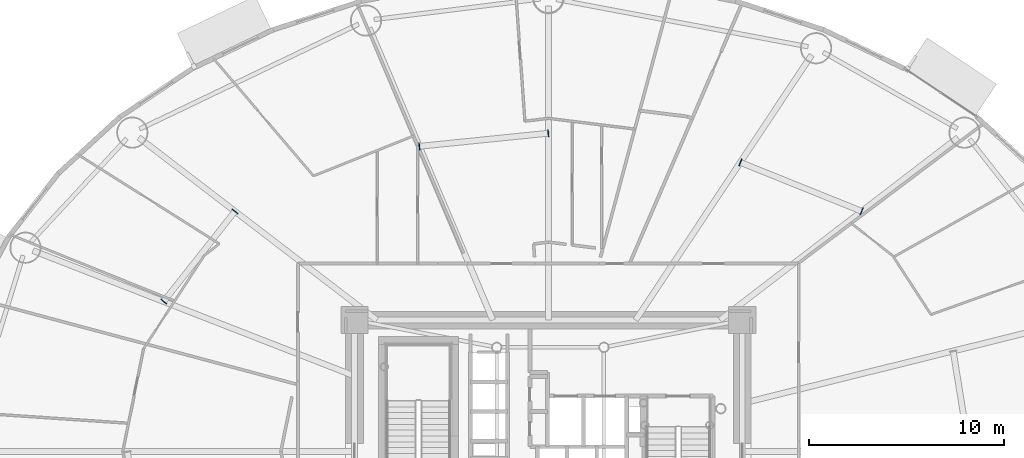
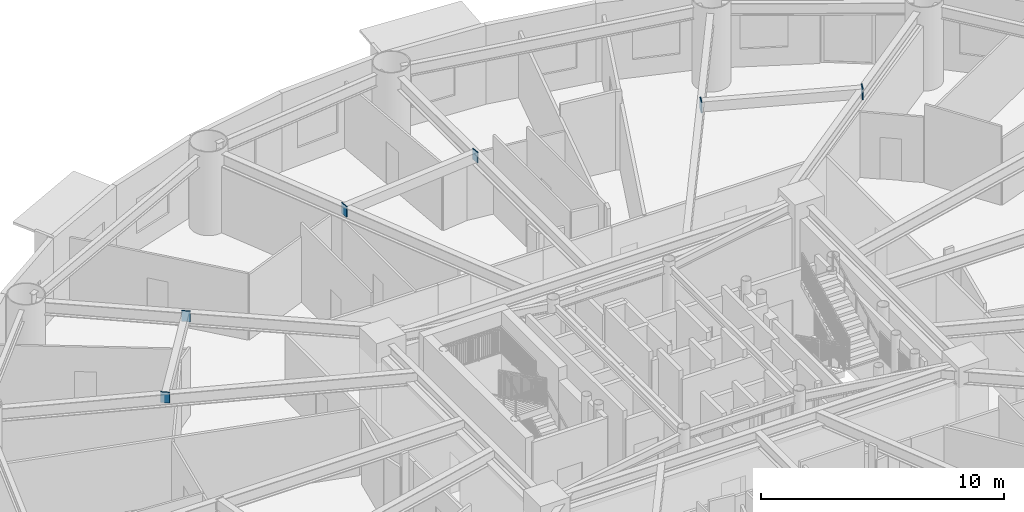
# One storey, part 9 of 24: 6 plates.
"""IFC4 building model written with IfcOpenShell, lengths in metres."""

from ifc_helpers import new_model, si_unit, direction, frame, origin, origin_2d, place, context, subcontext, project, spatial, rectangle, extrude, source, transform, mapped, material, layer, layer_set, type_object, element, save


model = new_model("IFC4")

# Units and contexts
model_context = context("Model", 3, precision=1e-05, world=origin(), true_north=direction((0.0, 1.0)))
body_context = subcontext(model_context, "Body", "Model", "MODEL_VIEW")
ifc_project = project(units=[si_unit("LENGTHUNIT", "METRE"), si_unit("AREAUNIT", "SQUARE_METRE"), si_unit("VOLUMEUNIT", "CUBIC_METRE"), si_unit("PLANEANGLEUNIT", "RADIAN"), si_unit("MASSUNIT", "GRAM", prefix="KILO")], contexts=[model_context])

# Site, building, storey
site_placement = place(None, origin())
site = spatial("IfcSite", under=ifc_project, at=site_placement, CompositionType="ELEMENT")
building_placement = place(site_placement, origin())
building = spatial("IfcBuilding", under=site, at=building_placement, Name="Linh Dai School and Residence Tower", CompositionType="ELEMENT")
storey_placement = place(building_placement, frame((0.0, 0.0, 70.199951171875)))
storey = spatial("IfcBuildingStorey", under=building, at=storey_placement, Name="L16", CompositionType="ELEMENT", Elevation=70.199951171875)

# Plates
ifc_material = material(Name="Structural Steel S355JR", Category="steel")
ifc_layer = layer(ifc_material, 0.0400390625)
ifc_layer_set = layer_set([ifc_layer], Name="Structural Steel S355JR")
plate_type = type_object("IfcPlateType", Name="PLT-GP1", PredefinedType="USERDEFINED", material=ifc_layer_set)
shared_shape = source(origin(), body_context, "Body", "SweptSolid", [
    extrude(rectangle(XDim=0.0400390625, YDim=0.3798828125, at=origin_2d()), origin(), (0.0, 0.0, 1.0), 0.5400390625),
])
for number, where, z_axis, x_axis, name in (
    (1, (52.078125, 39.3310546875, 3.429931640625), (0.0, 0.0, 1.0), (-0.927536459105, 0.373732681245, 0.0), "L16 Secondary Beam End Plate 02A"),
    (2, (45.8544921875, 41.838623046875, 3.429931640625), (0.0, 0.0, 1.0), (-0.927536459105, 0.373732681245, 0.0), "L16 Secondary Beam End Plate 02B"),
    (3, (35.9951171875, 43.3369140625, 3.429931640625), (0.0, 0.0, 1.0), (-0.994884100574, -0.101022900497, 0.0), "L16 Secondary Beam End Plate 03A"),
    (4, (29.378173828125, 42.6650390625, 3.429931640625), (0.0, 0.0, 1.0), (-0.994884100574, -0.101022900497, 0.0), "L16 Secondary Beam End Plate 03B"),
    (5, (19.914306640625, 39.3251953125, 3.429931640625), (0.0, 0.0, 1.0), (-0.620177637481, -0.784461406297, 0.0), "L16 Secondary Beam End Plate 04A"),
    (6, (16.259521484375, 34.702392578125, 3.429931640625), (0.0, 0.0, 1.0), (-0.620177637481, -0.784461406297, 0.0), "L16 Secondary Beam End Plate 04B"),
):
    element("IfcPlate", number, at=place(storey_placement, frame(where, z_axis=z_axis, x_axis=x_axis)), inside=storey, type_object=plate_type, Name=name, ObjectType="GUSSET PLATE", PredefinedType="USERDEFINED", context=body_context, shape_type="MappedRepresentation", body=[
        mapped(shared_shape, transform((0.0, 0.0, 0.0), x_axis=(1.0, 0.0, 0.0), y_axis=(0.0, 1.0, 0.0), z_axis=(0.0, 0.0, 1.0), scale=1.0)),
    ])

save(model, "model.ifc")
